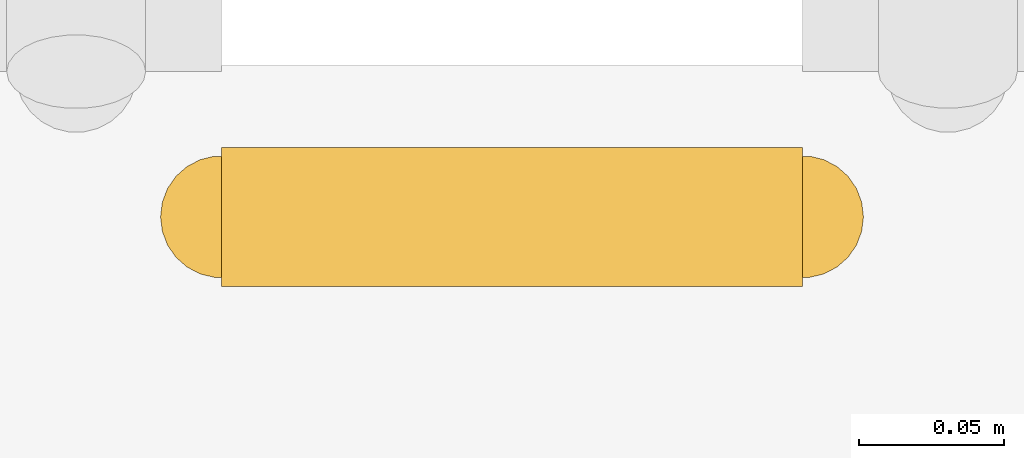
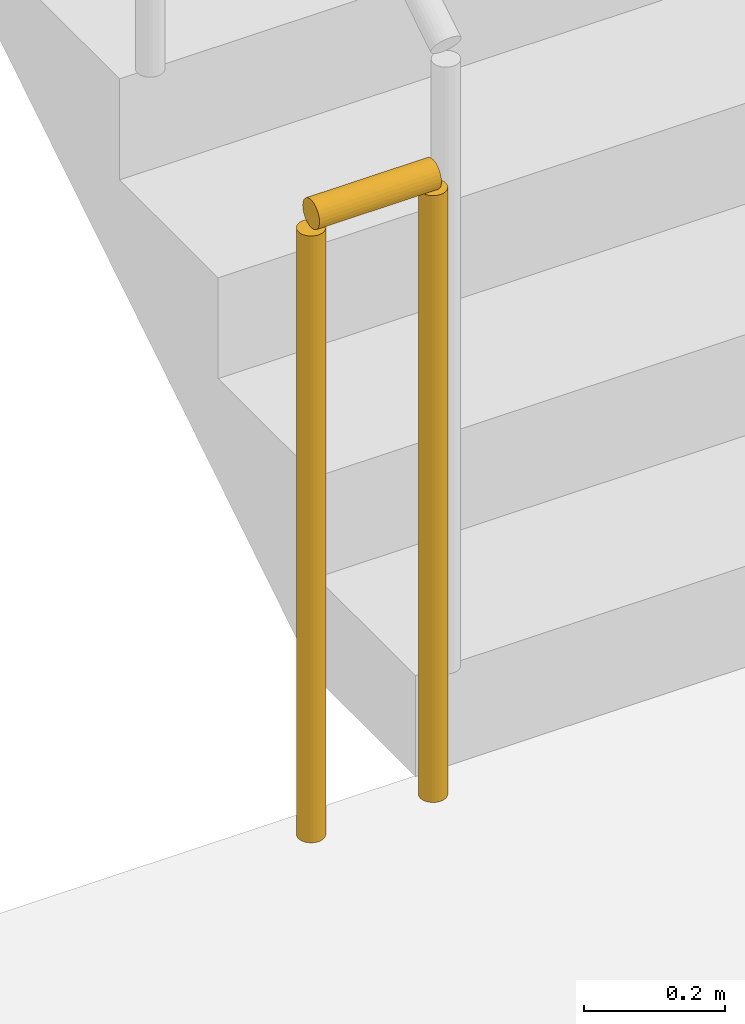
# One storey, part 11 of 22: 1 railing.
"""IFC4 building model written with IfcOpenShell, lengths in metres."""

from ifc_helpers import new_model, si_unit, direction, frame, origin, origin_2d, place, context, subcontext, project, spatial, circle, extrude, material, type_object, element, save


model = new_model("IFC4")

# Units and contexts
model_context = context("Model", 3, precision=1e-05, world=origin(), true_north=direction((0.0, 1.0)))
body_context = subcontext(model_context, "Body", "Model", "MODEL_VIEW")
ifc_project = project(units=[si_unit("LENGTHUNIT", "METRE"), si_unit("AREAUNIT", "SQUARE_METRE"), si_unit("VOLUMEUNIT", "CUBIC_METRE"), si_unit("PLANEANGLEUNIT", "RADIAN"), si_unit("MASSUNIT", "GRAM", prefix="KILO")], contexts=[model_context])

# Site, building, storey
site_placement = place(None, origin())
site = spatial("IfcSite", under=ifc_project, at=site_placement, CompositionType="ELEMENT")
building_placement = place(site_placement, origin())
building = spatial("IfcBuilding", under=site, at=building_placement, Name="Kiln Ring Residences", CompositionType="ELEMENT")
storey_placement = place(building_placement, frame((0.0, 0.0, 153.60009765625)))
storey = spatial("IfcBuildingStorey", under=building, at=storey_placement, Name="L39", CompositionType="ELEMENT", Elevation=153.60009765625)

# Railing
ifc_material = material(Name="Stainless steel", Category="steel")
railing_type = type_object("IfcRailingType", Name="CORE-STAIR-GUARD", PredefinedType="GUARDRAIL", material=ifc_material)
railing_placement = place(storey_placement, frame((-22.0, -8.449951171875, 0.0)))
element("IfcRailing", 1, at=railing_placement, inside=storey, type_object=railing_type, Name="L39 W-STS stair guard 4", PredefinedType="GUARDRAIL", context=body_context, shape_type="SweptSolid", body=[
    extrude(circle(Radius=0.02392578125, at=origin_2d()), frame((0.0, 0.0, 1.076171875), z_axis=(-1.0, 0.0, 0.0), x_axis=(0.0, -1.0, 0.0)), (0.0, 0.0, 1.0), 0.199951171875),
    extrude(circle(Radius=0.02099609375, at=origin_2d()), origin(), (0.0, 0.0, 1.0), 1.052001953125),
    extrude(circle(Radius=0.02099609375, at=origin_2d()), frame((-0.199951171875, 0.0, 0.0)), (0.0, 0.0, 1.0), 1.052001953125),
])

save(model, "model.ifc")
